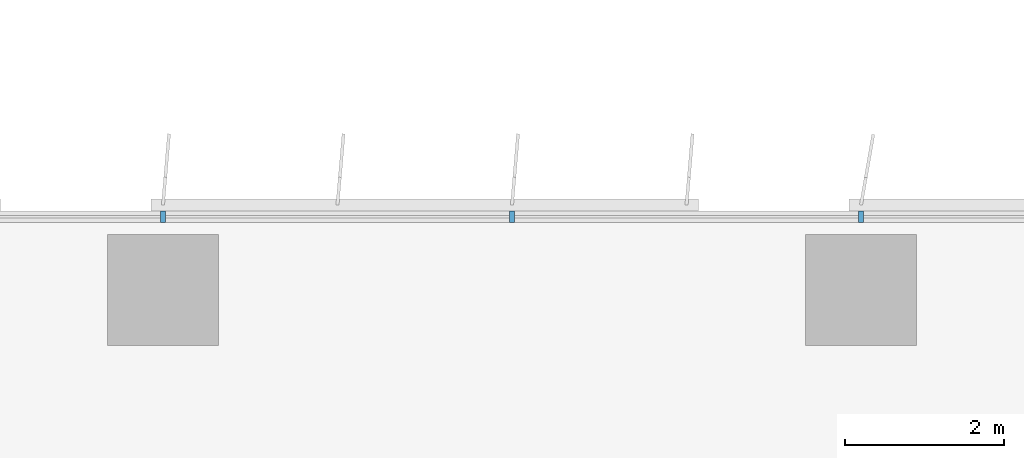
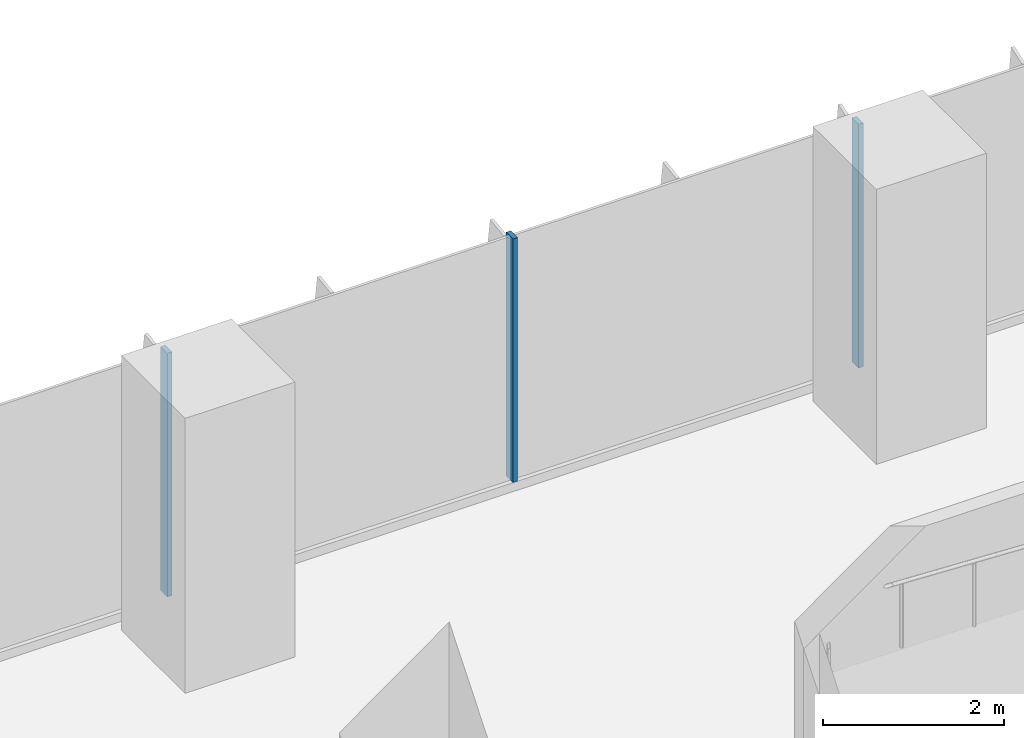
# One storey, part 4 of 24: 3 members, 1 element without a shape of its own.
"""IFC4 building model written with IfcOpenShell, lengths in metres."""

from ifc_helpers import new_model, si_unit, direction, frame, origin, origin_2d, place, context, subcontext, project, spatial, rectangle, extrude, source, transform, mapped, material, material_profile, profile_set, type_object, element, aggregate, save


model = new_model("IFC4")

# Units and contexts
model_context = context("Model", 3, precision=1e-05, world=origin(), true_north=direction((0.0, 1.0)))
body_context = subcontext(model_context, "Body", "Model", "MODEL_VIEW")
ifc_project = project(units=[si_unit("LENGTHUNIT", "METRE"), si_unit("AREAUNIT", "SQUARE_METRE"), si_unit("VOLUMEUNIT", "CUBIC_METRE"), si_unit("PLANEANGLEUNIT", "RADIAN"), si_unit("MASSUNIT", "GRAM", prefix="KILO")], contexts=[model_context])

# Site, building, storey
site_placement = place(None, origin())
site = spatial("IfcSite", under=ifc_project, at=site_placement, CompositionType="ELEMENT")
building_placement = place(site_placement, origin())
building = spatial("IfcBuilding", under=site, at=building_placement, Name="Kemantara Hotel Tower", CompositionType="ELEMENT")
storey_placement = place(building_placement, frame((0.0, 0.0, 56.199951171875)))
storey = spatial("IfcBuildingStorey", under=building, at=storey_placement, Name="L12", CompositionType="ELEMENT", Elevation=56.199951171875)

# Curtain wall, members
ifc_material_1 = material(Name="Low-E tinted double insulated glass 36 mm", Category="glass")
curtain_wall_type = type_object("IfcCurtainWallType", Name="TOWER CURTAIN WALL, FRONT FACES", PredefinedType="USERDEFINED", material=ifc_material_1)
curtain_wall_placement = place(storey_placement, origin())
curtain_wall = element("IfcCurtainWall", 1, at=curtain_wall_placement, inside=storey, type_object=curtain_wall_type, Name="CW4 L12 T1-R07-1", ObjectType="TOWER CURTAIN WALL, FRONT FACES", PredefinedType="USERDEFINED")
ifc_material_2 = material(Name="Aluminium 6063-T6 bronze anodised", Category="aluminium")
ifc_material_profile = material_profile(ifc_material_2, rectangle(XDim=0.14990234375, YDim=0.06005859375, at=origin_2d()), Name="TOWER CURTAIN WALL, FRONT FACES MULLION")
ifc_profile_set = profile_set([ifc_material_profile], Name="Aluminium 6063-T6 bronze anodised")
member_type = type_object("IfcMemberType", Name="TOWER CURTAIN WALL, FRONT FACES MULLION", PredefinedType="MULLION", material=ifc_profile_set)
shared_shape = source(origin(), body_context, "Body", "SweptSolid", [
    extrude(rectangle(XDim=0.14990234375, YDim=0.06005859375, at=origin_2d()), origin(), (0.0, 0.0, 1.0), 3.280029296875),
])
member_1_placement = place(storey_placement, frame((62.60009765625, 26.72509765625, 0.1201171875), z_axis=(0.0, 0.0, 1.0), x_axis=(0.0, -1.0, 0.0)))
member_1 = element("IfcMember", 2, at=member_1_placement, type_object=member_type, Name="CW4 mullion T1-R07-1.5", PredefinedType="MULLION", context=body_context, shape_type="MappedRepresentation", body=[
    mapped(shared_shape, transform((0.0, 0.0, 0.0))),
])
member_2_placement = place(storey_placement, frame((58.199951171875, 26.72509765625, 0.1201171875), z_axis=(0.0, 0.0, 1.0), x_axis=(0.0, -1.0, 0.0)))
member_2 = element("IfcMember", 3, at=member_2_placement, type_object=member_type, Name="CW4 mullion T1-R07-1.6", PredefinedType="MULLION", context=body_context, shape_type="MappedRepresentation", body=[
    mapped(shared_shape, transform((0.0, 0.0, 0.0))),
])
member_3_placement = place(storey_placement, frame((53.800048828125, 26.72509765625, 0.1201171875), z_axis=(0.0, 0.0, 1.0), x_axis=(0.0, -1.0, 0.0)))
member_3 = element("IfcMember", 4, at=member_3_placement, type_object=member_type, Name="CW4 mullion T1-R07-1.7", PredefinedType="MULLION", context=body_context, shape_type="MappedRepresentation", body=[
    mapped(shared_shape, transform((0.0, 0.0, 0.0))),
])
aggregate(curtain_wall, [member_1, member_2, member_3])

save(model, "model.ifc")
